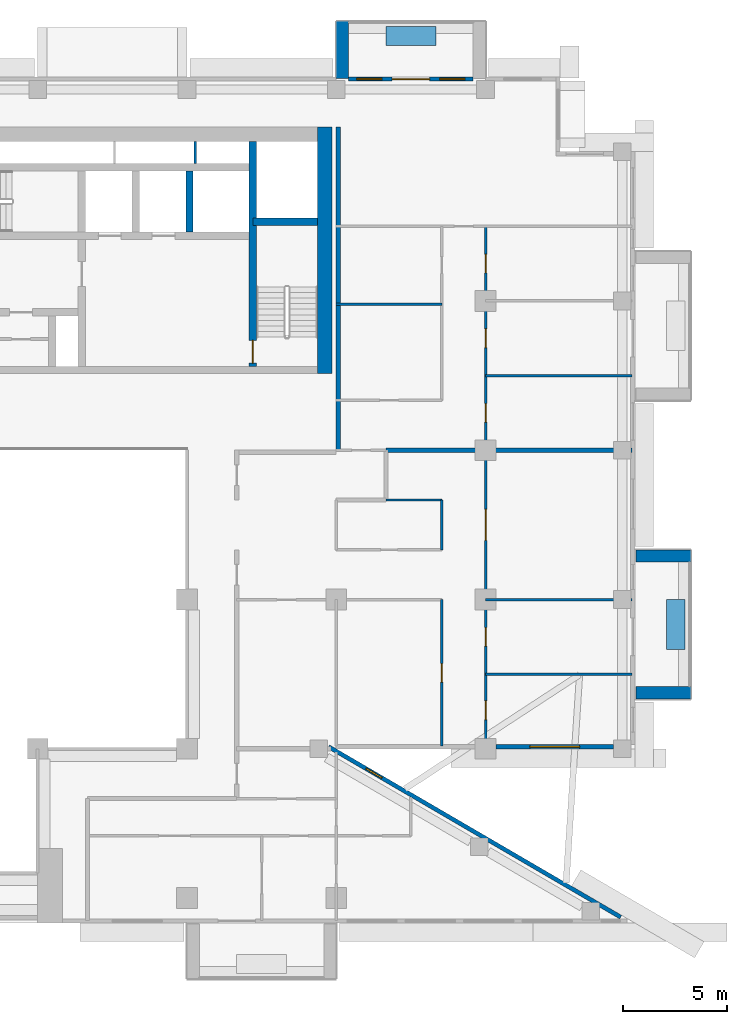
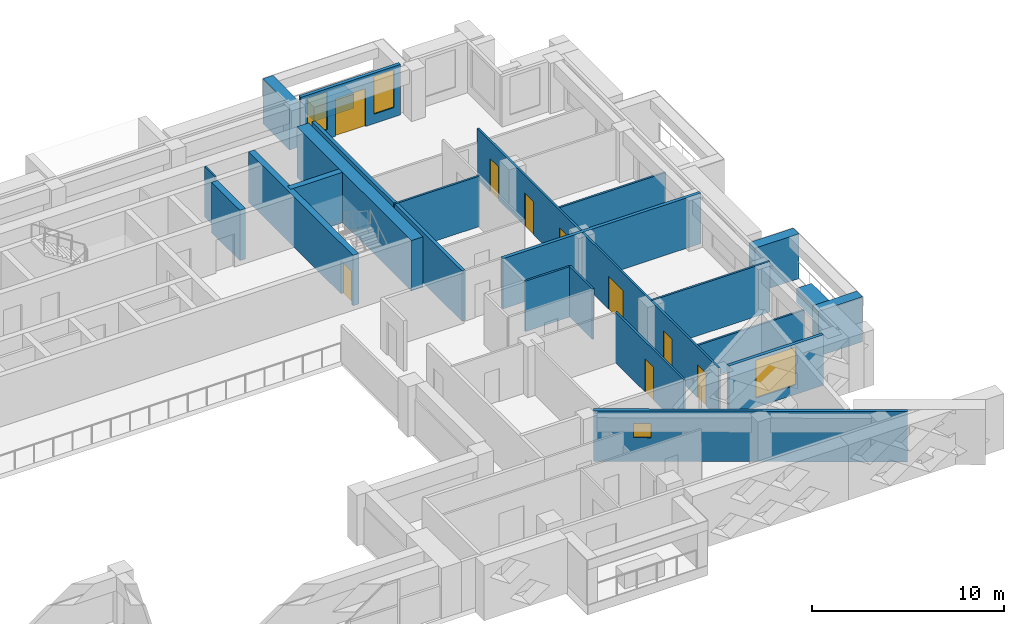
# One storey, part 11 of 19: 23 walls, 9 doors, 4 windows, 13 openings.
"""IFC4 building model written with IfcOpenShell, lengths in metres."""

from ifc_helpers import new_model, si_unit, direction, frame, frame_2d, origin, place, context, subcontext, project, spatial, rectangle, extrude, material, layer, layer_set, type_object, element, fill, save


model = new_model("IFC4")

# Units and contexts
model_context = context("Model", 3, precision=1e-05, world=origin(), true_north=direction((0.0, 1.0)))
body_context = subcontext(model_context, "Body", "Model", "MODEL_VIEW")
ifc_project = project(units=[si_unit("LENGTHUNIT", "METRE"), si_unit("AREAUNIT", "SQUARE_METRE"), si_unit("VOLUMEUNIT", "CUBIC_METRE"), si_unit("PLANEANGLEUNIT", "RADIAN"), si_unit("MASSUNIT", "GRAM", prefix="KILO")], contexts=[model_context])

# Site, building, storey
site_placement = place(None, origin())
site = spatial("IfcSite", under=ifc_project, at=site_placement, CompositionType="ELEMENT")
building_placement = place(site_placement, origin())
building = spatial("IfcBuilding", under=site, at=building_placement, Name="Saffron Iwan Residences", CompositionType="ELEMENT")
storey_placement = place(building_placement, frame((0.0, 0.0, 160.5)))
storey = spatial("IfcBuildingStorey", under=building, at=storey_placement, Name="L42", CompositionType="ELEMENT", Elevation=160.5)

# Walls
ifc_material_1 = material(Name="Concrete C50/60 white painted", Category="concrete")
ifc_layer_1 = layer(ifc_material_1, 0.60009765625)
ifc_layer_set_1 = layer_set([ifc_layer_1], Name="Concrete C50/60 white painted")
wall_type_1 = type_object("IfcWallType", Name="BALCONY FIN 600", PredefinedType="SOLIDWALL", material=ifc_layer_set_1)
for number, where, z_axis, x_axis, name in (
    (1, (86.449951171875, 50.699951171875, 0.0), (0.0, 0.0, 1.0), (1.0, 0.0, 0.0), "Balcony fin L42 F2-0a"),
    (2, (86.449951171875, 57.300048828125, 0.0), (0.0, 0.0, 1.0), (1.0, 0.0, 0.0), "Balcony fin L42 F2-0b"),
):
    element("IfcWall", number, at=place(storey_placement, frame(where, z_axis=z_axis, x_axis=x_axis)), inside=storey, type_object=wall_type_1, Name=name, PredefinedType="SOLIDWALL", context=body_context, shape_type="SweptSolid", body=[
        extrude(rectangle(XDim=2.650146484375, YDim=0.60009765625, at=frame_2d((1.3251953125, 0.0))), origin(), (0.0, 0.0, 1.0), 2.85009765625),
    ])
wall_1_placement = place(storey_placement, frame((72.300048828125, 80.324951171875, 0.0), z_axis=(0.0, 0.0, 1.0), x_axis=(0.0, 1.0, 0.0)))
element("IfcWall", 3, at=wall_1_placement, inside=storey, type_object=wall_type_1, Name="Balcony fin L42 F5-0b", PredefinedType="SOLIDWALL", context=body_context, shape_type="SweptSolid", body=[
    extrude(rectangle(XDim=2.775146484375, YDim=0.60009765625, at=frame_2d((1.3876953125, 0.0))), origin(), (0.0, 0.0, 1.0), 2.85009765625),
])
ifc_material_2 = material(Name="Concrete C35/45 white painted", Category="concrete")
ifc_layer_2 = layer(ifc_material_2, 0.14990234375)
ifc_layer_set_2 = layer_set([ifc_layer_2], Name="Concrete C35/45 white painted")
wall_type_2 = type_object("IfcWallType", Name="BALCONY PLANTER", PredefinedType="SOLIDWALL", material=ifc_layer_set_2)
wall_2_placement = place(storey_placement, frame((88.375, 52.800048828125, 0.0), z_axis=(0.0, 0.0, 1.0), x_axis=(0.0, 1.0, 0.0)))
element("IfcWall", 4, at=wall_2_placement, inside=storey, type_object=wall_type_2, Name="PLANTER L42 F2-0", PredefinedType="SOLIDWALL", context=body_context, shape_type="SweptSolid", body=[
    extrude(rectangle(XDim=2.39990234375, YDim=0.89990234375, at=frame_2d((1.199951171875, 0.0))), origin(), (0.0, 0.0, 1.0), 0.89990234375),
])
wall_3_placement = place(storey_placement, frame((76.800048828125, 82.375, 0.0), z_axis=(0.0, 0.0, 1.0), x_axis=(-1.0, 0.0, 0.0)))
element("IfcWall", 5, at=wall_3_placement, inside=storey, type_object=wall_type_2, Name="PLANTER L42 F5-0", PredefinedType="SOLIDWALL", context=body_context, shape_type="SweptSolid", body=[
    extrude(rectangle(XDim=2.400146484375, YDim=0.89990234375, at=frame_2d((1.2001953125, 0.0))), origin(), (0.0, 0.0, 1.0), 0.89990234375),
])

# Wall, opening, window
ifc_material_3 = material(Name="Concrete C40/50", Category="concrete")
ifc_layer_3 = layer(ifc_material_3, 0.199951171875)
ifc_layer_set_3 = layer_set([ifc_layer_3], Name="Concrete C40/50")
wall_type_3 = type_object("IfcWallType", Name="EXTERNAL WALL 200", PredefinedType="SOLIDWALL", material=ifc_layer_set_3)
wall_4_placement = place(storey_placement, frame((85.71923828125, 39.88134765625, 0.0), z_axis=(0.0, 0.0, 1.0), x_axis=(-0.86377618652, 0.503875678716, 0.0)))
wall_4 = element("IfcWall", 6, at=wall_4_placement, inside=storey, type_object=wall_type_3, Name="External wall L42 F0.0", PredefinedType="SOLIDWALL", context=body_context, shape_type="SweptSolid", body=[
    extrude(rectangle(XDim=16.31103515625, YDim=0.199951171875, at=frame_2d((8.155517578125, 0.0))), origin(), (0.0, 0.0, 1.0), 3.199951171875),
])
opening_1_placement = place(wall_4_placement, frame((13.32568359375, 0.0, 1.5)))
opening_1 = element("IfcOpeningElement", 7, at=opening_1_placement, cuts=wall_4, Name="Opening W6", PredefinedType="OPENING", context=body_context, shape_type="SweptSolid", body=[
    extrude(rectangle(XDim=0.89990234375, YDim=0.89990234375, at=frame_2d((0.449951171875, 0.449951171875))), frame((0.0, 0.10986328125, 0.0), z_axis=(0.0, -1.0, 0.0), x_axis=(1.0, 0.0, 0.0)), (0.0, 0.0, 1.0), 0.219970703125),
])
ifc_material_4 = material(Name="Clear glass, laminated double glazed", Category="glass")
window_type_1 = type_object("IfcWindowType", Name="WINDOW 900 x 900 BATH", PartitioningType="SINGLE_PANEL", PredefinedType="WINDOW", material=ifc_material_4)
window_1_placement = place(opening_1_placement, origin())
window_1 = element("IfcWindow", 8, at=window_1_placement, inside=storey, type_object=window_type_1, Name="Window L42 F0.0", OverallHeight=0.89990234375, OverallWidth=0.89990234375, PartitioningType="SINGLE_PANEL", PredefinedType="WINDOW", context=body_context, shape_type="SweptSolid", body=[
    extrude(rectangle(XDim=0.89990234375, YDim=0.89990234375, at=frame_2d((0.449951171875, 0.449951171875))), frame((0.0, 0.030029296875, 0.0), z_axis=(0.0, -1.0, 0.0), x_axis=(1.0, 0.0, 0.0)), (0.0, 0.0, 1.0), 0.06005859375),
])
fill(opening_1, window_1)

wall_5_placement = place(storey_placement, frame((79.699951171875, 48.10009765625, 0.0), z_axis=(0.0, 0.0, 1.0), x_axis=(1.0, 0.0, 0.0)))
wall_5 = element("IfcWall", 9, at=wall_5_placement, inside=storey, type_object=wall_type_3, Name="External wall L42 F1.1", PredefinedType="SOLIDWALL", context=body_context, shape_type="SweptSolid", body=[
    extrude(rectangle(XDim=5.675048828125, YDim=0.199951171875, at=frame_2d((2.83740234375, 0.0))), origin(), (0.0, 0.0, 1.0), 3.199951171875),
])
opening_2_placement = place(wall_5_placement, frame((1.637451171875, 0.0, 0.60009765625)))
opening_2 = element("IfcOpeningElement", 10, at=opening_2_placement, cuts=wall_5, Name="Opening W1", PredefinedType="OPENING", context=body_context, shape_type="SweptSolid", body=[
    extrude(rectangle(XDim=2.39990234375, YDim=2.39990234375, at=frame_2d((1.199951171875, 1.199951171875))), frame((0.0, 0.10986328125, 0.0), z_axis=(0.0, -1.0, 0.0), x_axis=(1.0, 0.0, 0.0)), (0.0, 0.0, 1.0), 0.219970703125),
])
window_type_2 = type_object("IfcWindowType", Name="WINDOW 2400 x 2400", PartitioningType="DOUBLE_PANEL_VERTICAL", PredefinedType="WINDOW", material=ifc_material_4)
window_2_placement = place(opening_2_placement, origin())
window_2 = element("IfcWindow", 11, at=window_2_placement, inside=storey, type_object=window_type_2, Name="Window L42 F1.0", OverallHeight=2.39990234375, OverallWidth=2.39990234375, PartitioningType="DOUBLE_PANEL_VERTICAL", PredefinedType="WINDOW", context=body_context, shape_type="SweptSolid", body=[
    extrude(rectangle(XDim=2.39990234375, YDim=2.39990234375, at=frame_2d((1.199951171875, 1.199951171875))), frame((0.0, 0.030029296875, 0.0), z_axis=(0.0, -1.0, 0.0), x_axis=(1.0, 0.0, 0.0)), (0.0, 0.0, 1.0), 0.06005859375),
])
fill(opening_2, window_2)

# Wall, openings, door, windows
wall_6_placement = place(storey_placement, frame((78.60009765625, 80.300048828125, 0.0), z_axis=(0.0, 0.0, 1.0), x_axis=(-1.0, 0.0, 0.0)))
wall_6 = element("IfcWall", 12, at=wall_6_placement, inside=storey, type_object=wall_type_3, Name="External wall L42 F5.1", PredefinedType="SOLIDWALL", context=body_context, shape_type="SweptSolid", body=[
    extrude(rectangle(XDim=6.0, YDim=0.199951171875, at=frame_2d((3.0, 0.0))), origin(), (0.0, 0.0, 1.0), 3.199951171875),
])
opening_3_placement = place(wall_6_placement, frame((2.10009765625, 0.0, 0.0)))
opening_3 = element("IfcOpeningElement", 13, at=opening_3_placement, cuts=wall_6, Name="Opening BD1", PredefinedType="OPENING", context=body_context, shape_type="SweptSolid", body=[
    extrude(rectangle(XDim=1.800048828125, YDim=2.39990234375, at=frame_2d((0.89990234375, 1.199951171875))), frame((0.0, 0.10986328125, 0.0), z_axis=(0.0, -1.0, 0.0), x_axis=(1.0, 0.0, 0.0)), (0.0, 0.0, 1.0), 0.219970703125),
])
opening_4_placement = place(wall_6_placement, frame((0.39990234375, 0.0, 0.60009765625)))
opening_4 = element("IfcOpeningElement", 14, at=opening_4_placement, cuts=wall_6, Name="Opening W3", PredefinedType="OPENING", context=body_context, shape_type="SweptSolid", body=[
    extrude(rectangle(XDim=1.199951171875, YDim=2.39990234375, at=frame_2d((0.60009765625, 1.199951171875))), frame((0.0, 0.10986328125, 0.0), z_axis=(0.0, -1.0, 0.0), x_axis=(1.0, 0.0, 0.0)), (0.0, 0.0, 1.0), 0.219970703125),
])
opening_5_placement = place(wall_6_placement, frame((4.39990234375, 0.0, 0.60009765625)))
opening_5 = element("IfcOpeningElement", 15, at=opening_5_placement, cuts=wall_6, Name="Opening W3", PredefinedType="OPENING", context=body_context, shape_type="SweptSolid", body=[
    extrude(rectangle(XDim=1.199951171875, YDim=2.39990234375, at=frame_2d((0.60009765625, 1.199951171875))), frame((0.0, 0.10986328125, 0.0), z_axis=(0.0, -1.0, 0.0), x_axis=(1.0, 0.0, 0.0)), (0.0, 0.0, 1.0), 0.219970703125),
])
door_type_1 = type_object("IfcDoorType", Name="BALCONY DOOR 1800 x 2400", OperationType="DOUBLE_DOOR_SLIDING", PredefinedType="DOOR", material=ifc_material_4)
door_1_placement = place(opening_3_placement, origin())
door_1 = element("IfcDoor", 16, at=door_1_placement, inside=storey, type_object=door_type_1, Name="Balcony door L42 F5.0", OperationType="DOUBLE_DOOR_SLIDING", OverallHeight=2.39990234375, OverallWidth=1.800048828125, PredefinedType="DOOR", context=body_context, shape_type="SweptSolid", body=[
    extrude(rectangle(XDim=1.800048828125, YDim=2.39990234375, at=frame_2d((0.89990234375, 1.199951171875))), frame((0.0, 0.02490234375, 0.0), z_axis=(0.0, -1.0, 0.0), x_axis=(1.0, 0.0, 0.0)), (0.0, 0.0, 1.0), 0.050048828125),
])
fill(opening_3, door_1)
window_type_3 = type_object("IfcWindowType", Name="WINDOW 1200 x 2400", PartitioningType="SINGLE_PANEL", PredefinedType="WINDOW", material=ifc_material_4)
window_3_placement = place(opening_4_placement, origin())
window_3 = element("IfcWindow", 17, at=window_3_placement, inside=storey, type_object=window_type_3, Name="Window L42 F5.1", OverallHeight=2.39990234375, OverallWidth=1.199951171875, PartitioningType="SINGLE_PANEL", PredefinedType="WINDOW", context=body_context, shape_type="SweptSolid", body=[
    extrude(rectangle(XDim=1.199951171875, YDim=2.39990234375, at=frame_2d((0.60009765625, 1.199951171875))), frame((0.0, 0.030029296875, 0.0), z_axis=(0.0, -1.0, 0.0), x_axis=(1.0, 0.0, 0.0)), (0.0, 0.0, 1.0), 0.06005859375),
])
fill(opening_4, window_3)
window_4_placement = place(opening_5_placement, origin())
window_4 = element("IfcWindow", 18, at=window_4_placement, inside=storey, type_object=window_type_3, Name="Window L42 F5.2", OverallHeight=2.39990234375, OverallWidth=1.199951171875, PartitioningType="SINGLE_PANEL", PredefinedType="WINDOW", context=body_context, shape_type="SweptSolid", body=[
    extrude(rectangle(XDim=1.199951171875, YDim=2.39990234375, at=frame_2d((0.60009765625, 1.199951171875))), frame((0.0, 0.030029296875, 0.0), z_axis=(0.0, -1.0, 0.0), x_axis=(1.0, 0.0, 0.0)), (0.0, 0.0, 1.0), 0.06005859375),
])
fill(opening_5, window_4)

# Walls
ifc_material_5 = material(Name="Fire-rated gypsum board wall")
ifc_layer_4 = layer(ifc_material_5, 0.199951171875)
ifc_layer_set_4 = layer_set([ifc_layer_4], Name="Fire-rated gypsum board wall")
wall_type_4 = type_object("IfcWallType", Name="Flat demising wall 200", PredefinedType="SOLIDWALL", material=ifc_layer_set_4)
wall_7_placement = place(storey_placement, frame((74.39990234375, 62.39990234375, 0.0), z_axis=(0.0, 0.0, 1.0), x_axis=(1.0, 0.0, 0.0)))
element("IfcWall", 19, at=wall_7_placement, inside=storey, type_object=wall_type_4, Name="W-L42-DEMISE-h62.4-74.4", PredefinedType="SOLIDWALL", context=body_context, shape_type="SweptSolid", body=[
    extrude(rectangle(XDim=11.875, YDim=0.199951171875, at=frame_2d((5.9375, 0.0))), origin(), (0.0, 0.0, 1.0), 3.199951171875),
])
ifc_material_6 = material(Name="Gypsum board partition")
ifc_layer_5 = layer(ifc_material_6, 0.1201171875)
ifc_layer_set_5 = layer_set([ifc_layer_5], Name="Gypsum board partition")
wall_type_5 = type_object("IfcWallType", Name="Flat partition 120", PredefinedType="PARTITIONING", material=ifc_layer_set_5)
wall_8_placement = place(storey_placement, frame((79.199951171875, 51.60009765625, 0.0), z_axis=(0.0, 0.0, 1.0), x_axis=(1.0, 0.0, 0.0)))
element("IfcWall", 20, at=wall_8_placement, inside=storey, type_object=wall_type_5, Name="W-L42-PART-h51.6-79.2", PredefinedType="PARTITIONING", context=body_context, shape_type="SweptSolid", body=[
    extrude(rectangle(XDim=7.074951171875, YDim=0.1201171875, at=frame_2d((3.53759765625, 0.0))), origin(), (0.0, 0.0, 1.0), 2.300048828125),
])
wall_9_placement = place(storey_placement, frame((79.199951171875, 55.199951171875, 0.0), z_axis=(0.0, 0.0, 1.0), x_axis=(1.0, 0.0, 0.0)))
element("IfcWall", 21, at=wall_9_placement, inside=storey, type_object=wall_type_5, Name="W-L42-PART-h55.2-79.2", PredefinedType="PARTITIONING", context=body_context, shape_type="SweptSolid", body=[
    extrude(rectangle(XDim=7.074951171875, YDim=0.1201171875, at=frame_2d((3.53759765625, 0.0))), origin(), (0.0, 0.0, 1.0), 3.199951171875),
])
wall_10_placement = place(storey_placement, frame((74.39990234375, 60.0, 0.0), z_axis=(0.0, 0.0, 1.0), x_axis=(1.0, 0.0, 0.0)))
element("IfcWall", 22, at=wall_10_placement, inside=storey, type_object=wall_type_5, Name="W-L42-PART-h60-74.4", PredefinedType="PARTITIONING", context=body_context, shape_type="SweptSolid", body=[
    extrude(rectangle(XDim=2.7001953125, YDim=0.1201171875, at=frame_2d((1.35009765625, 0.0))), origin(), (0.0, 0.0, 1.0), 3.199951171875),
])
wall_11_placement = place(storey_placement, frame((79.199951171875, 66.0, 0.0), z_axis=(0.0, 0.0, 1.0), x_axis=(1.0, 0.0, 0.0)))
element("IfcWall", 23, at=wall_11_placement, inside=storey, type_object=wall_type_5, Name="W-L42-PART-h66-79.2", PredefinedType="PARTITIONING", context=body_context, shape_type="SweptSolid", body=[
    extrude(rectangle(XDim=7.074951171875, YDim=0.1201171875, at=frame_2d((3.53759765625, 0.0))), origin(), (0.0, 0.0, 1.0), 2.300048828125),
])
wall_12_placement = place(storey_placement, frame((72.0, 69.449951171875, 0.0), z_axis=(0.0, 0.0, 1.0), x_axis=(1.0, 0.0, 0.0)))
element("IfcWall", 24, at=wall_12_placement, inside=storey, type_object=wall_type_5, Name="W-L42-PART-h69.45-72", PredefinedType="PARTITIONING", context=body_context, shape_type="SweptSolid", body=[
    extrude(rectangle(XDim=5.10009765625, YDim=0.1201171875, at=frame_2d((2.550048828125, 0.0))), origin(), (0.0, 0.0, 1.0), 3.199951171875),
])

# Wall, opening, door
wall_13_placement = place(storey_placement, frame((77.10009765625, 48.125, 0.0), z_axis=(0.0, 0.0, 1.0), x_axis=(0.0, 1.0, 0.0)))
wall_13 = element("IfcWall", 25, at=wall_13_placement, inside=storey, type_object=wall_type_5, Name="W-L42-PART-v77.1-48.125", PredefinedType="PARTITIONING", context=body_context, shape_type="SweptSolid", body=[
    extrude(rectangle(XDim=7.074951171875, YDim=0.1201171875, at=frame_2d((3.53759765625, 0.0))), origin(), (0.0, 0.0, 1.0), 3.199951171875),
])
opening_6_placement = place(wall_13_placement, frame((3.08740234375, 0.0, 0.0)))
opening_6 = element("IfcOpeningElement", 26, at=opening_6_placement, cuts=wall_13, Name="Opening FD2", PredefinedType="OPENING", context=body_context, shape_type="SweptSolid", body=[
    extrude(rectangle(XDim=0.89990234375, YDim=2.10009765625, at=frame_2d((0.449951171875, 1.050048828125))), frame((0.0, 0.070068359375, 0.0), z_axis=(0.0, -1.0, 0.0), x_axis=(1.0, 0.0, 0.0)), (0.0, 0.0, 1.0), 0.14013671875),
])
ifc_material_7 = material(Name="Timber door", Category="wood")
door_type_2 = type_object("IfcDoorType", Name="Flat door 900", OperationType="NOTDEFINED", PredefinedType="DOOR", material=ifc_material_7)
door_2_placement = place(opening_6_placement, origin())
door_2 = element("IfcDoor", 27, at=door_2_placement, inside=storey, type_object=door_type_2, Name="Door L42-018", OperationType="SINGLE_SWING_LEFT", OverallHeight=2.10009765625, OverallWidth=0.89990234375, PredefinedType="DOOR", context=body_context, shape_type="SweptSolid", body=[
    extrude(rectangle(XDim=0.89990234375, YDim=2.10009765625, at=frame_2d((0.449951171875, 1.050048828125))), frame((0.0, 0.02490234375, 0.0), z_axis=(0.0, -1.0, 0.0), x_axis=(1.0, 0.0, 0.0)), (0.0, 0.0, 1.0), 0.050048828125),
])
fill(opening_6, door_2)

# Wall
wall_14_placement = place(storey_placement, frame((77.10009765625, 57.60009765625, 0.0), z_axis=(0.0, 0.0, 1.0), x_axis=(0.0, 1.0, 0.0)))
element("IfcWall", 28, at=wall_14_placement, inside=storey, type_object=wall_type_5, Name="W-L42-PART-v77.1-57.6", PredefinedType="PARTITIONING", context=body_context, shape_type="SweptSolid", body=[
    extrude(rectangle(XDim=2.39990234375, YDim=0.1201171875, at=frame_2d((1.199951171875, 0.0))), origin(), (0.0, 0.0, 1.0), 3.199951171875),
])

# Wall, openings, doors
wall_15_placement = place(storey_placement, frame((79.199951171875, 48.125, 0.0), z_axis=(0.0, 0.0, 1.0), x_axis=(0.0, 1.0, 0.0)))
wall_15 = element("IfcWall", 29, at=wall_15_placement, inside=storey, type_object=wall_type_5, Name="W-L42-PART-v79.2-48.125", PredefinedType="PARTITIONING", context=body_context, shape_type="SweptSolid", body=[
    extrude(rectangle(XDim=25.074951171875, YDim=0.1201171875, at=frame_2d((12.53759765625, 0.0))), origin(), (0.0, 0.0, 1.0), 3.199951171875),
])
opening_7_placement = place(wall_15_placement, frame((1.28759765625, 0.0, 0.0)))
opening_7 = element("IfcOpeningElement", 30, at=opening_7_placement, cuts=wall_15, Name="Opening FD2", PredefinedType="OPENING", context=body_context, shape_type="SweptSolid", body=[
    extrude(rectangle(XDim=0.89990234375, YDim=2.10009765625, at=frame_2d((0.449951171875, 1.050048828125))), frame((0.0, 0.070068359375, 0.0), z_axis=(0.0, -1.0, 0.0), x_axis=(1.0, 0.0, 0.0)), (0.0, 0.0, 1.0), 0.14013671875),
])
opening_8_placement = place(wall_15_placement, frame((4.824951171875, 0.0, 0.0)))
opening_8 = element("IfcOpeningElement", 31, at=opening_8_placement, cuts=wall_15, Name="Opening FD2", PredefinedType="OPENING", context=body_context, shape_type="SweptSolid", body=[
    extrude(rectangle(XDim=0.89990234375, YDim=2.10009765625, at=frame_2d((0.449951171875, 1.050048828125))), frame((0.0, 0.070068359375, 0.0), z_axis=(0.0, -1.0, 0.0), x_axis=(1.0, 0.0, 0.0)), (0.0, 0.0, 1.0), 0.14013671875),
])
opening_9_placement = place(wall_15_placement, frame((9.925048828125, 0.0, 0.0)))
opening_9 = element("IfcOpeningElement", 32, at=opening_9_placement, cuts=wall_15, Name="Opening FD4", PredefinedType="OPENING", context=body_context, shape_type="SweptSolid", body=[
    extrude(rectangle(XDim=1.5, YDim=2.10009765625, at=frame_2d((0.75, 1.050048828125))), frame((0.0, 0.070068359375, 0.0), z_axis=(0.0, -1.0, 0.0), x_axis=(1.0, 0.0, 0.0)), (0.0, 0.0, 1.0), 0.14013671875),
])
opening_10_placement = place(wall_15_placement, frame((15.625, 0.0, 0.0)))
opening_10 = element("IfcOpeningElement", 33, at=opening_10_placement, cuts=wall_15, Name="Opening FD2", PredefinedType="OPENING", context=body_context, shape_type="SweptSolid", body=[
    extrude(rectangle(XDim=0.89990234375, YDim=2.10009765625, at=frame_2d((0.449951171875, 1.050048828125))), frame((0.0, 0.070068359375, 0.0), z_axis=(0.0, -1.0, 0.0), x_axis=(1.0, 0.0, 0.0)), (0.0, 0.0, 1.0), 0.14013671875),
])
opening_11_placement = place(wall_15_placement, frame((19.22509765625, 0.0, 0.0)))
opening_11 = element("IfcOpeningElement", 34, at=opening_11_placement, cuts=wall_15, Name="Opening FD2", PredefinedType="OPENING", context=body_context, shape_type="SweptSolid", body=[
    extrude(rectangle(XDim=0.89990234375, YDim=2.10009765625, at=frame_2d((0.449951171875, 1.050048828125))), frame((0.0, 0.070068359375, 0.0), z_axis=(0.0, -1.0, 0.0), x_axis=(1.0, 0.0, 0.0)), (0.0, 0.0, 1.0), 0.14013671875),
])
opening_12_placement = place(wall_15_placement, frame((22.824951171875, 0.0, 0.0)))
opening_12 = element("IfcOpeningElement", 35, at=opening_12_placement, cuts=wall_15, Name="Opening FD2", PredefinedType="OPENING", context=body_context, shape_type="SweptSolid", body=[
    extrude(rectangle(XDim=0.89990234375, YDim=2.10009765625, at=frame_2d((0.449951171875, 1.050048828125))), frame((0.0, 0.070068359375, 0.0), z_axis=(0.0, -1.0, 0.0), x_axis=(1.0, 0.0, 0.0)), (0.0, 0.0, 1.0), 0.14013671875),
])
door_type_3 = type_object("IfcDoorType", Name="Double door 1500", OperationType="NOTDEFINED", PredefinedType="DOOR", material=ifc_material_7)
door_3_placement = place(opening_9_placement, origin())
door_3 = element("IfcDoor", 36, at=door_3_placement, inside=storey, type_object=door_type_3, Name="Door L42-017", OperationType="SINGLE_SWING_LEFT", OverallHeight=2.10009765625, OverallWidth=1.5, PredefinedType="DOOR", context=body_context, shape_type="SweptSolid", body=[
    extrude(rectangle(XDim=1.5, YDim=2.10009765625, at=frame_2d((0.75, 1.050048828125))), frame((0.0, 0.02490234375, 0.0), z_axis=(0.0, -1.0, 0.0), x_axis=(1.0, 0.0, 0.0)), (0.0, 0.0, 1.0), 0.050048828125),
])
fill(opening_9, door_3)
door_4_placement = place(opening_7_placement, origin())
door_4 = element("IfcDoor", 37, at=door_4_placement, inside=storey, type_object=door_type_2, Name="Door L42-015", OperationType="SINGLE_SWING_LEFT", OverallHeight=2.10009765625, OverallWidth=0.89990234375, PredefinedType="DOOR", context=body_context, shape_type="SweptSolid", body=[
    extrude(rectangle(XDim=0.89990234375, YDim=2.10009765625, at=frame_2d((0.449951171875, 1.050048828125))), frame((0.0, 0.02490234375, 0.0), z_axis=(0.0, -1.0, 0.0), x_axis=(1.0, 0.0, 0.0)), (0.0, 0.0, 1.0), 0.050048828125),
])
fill(opening_7, door_4)
door_5_placement = place(opening_8_placement, origin())
door_5 = element("IfcDoor", 38, at=door_5_placement, inside=storey, type_object=door_type_2, Name="Door L42-016", OperationType="SINGLE_SWING_RIGHT", OverallHeight=2.10009765625, OverallWidth=0.89990234375, PredefinedType="DOOR", context=body_context, shape_type="SweptSolid", body=[
    extrude(rectangle(XDim=0.89990234375, YDim=2.10009765625, at=frame_2d((0.449951171875, 1.050048828125))), frame((0.0, 0.02490234375, 0.0), z_axis=(0.0, -1.0, 0.0), x_axis=(1.0, 0.0, 0.0)), (0.0, 0.0, 1.0), 0.050048828125),
])
fill(opening_8, door_5)
door_6_placement = place(opening_10_placement, origin())
door_6 = element("IfcDoor", 39, at=door_6_placement, inside=storey, type_object=door_type_2, Name="Door L42-033", OperationType="SINGLE_SWING_LEFT", OverallHeight=2.10009765625, OverallWidth=0.89990234375, PredefinedType="DOOR", context=body_context, shape_type="SweptSolid", body=[
    extrude(rectangle(XDim=0.89990234375, YDim=2.10009765625, at=frame_2d((0.449951171875, 1.050048828125))), frame((0.0, 0.02490234375, 0.0), z_axis=(0.0, -1.0, 0.0), x_axis=(1.0, 0.0, 0.0)), (0.0, 0.0, 1.0), 0.050048828125),
])
fill(opening_10, door_6)
door_7_placement = place(opening_11_placement, origin())
door_7 = element("IfcDoor", 40, at=door_7_placement, inside=storey, type_object=door_type_2, Name="Door L42-034", OperationType="SINGLE_SWING_RIGHT", OverallHeight=2.10009765625, OverallWidth=0.89990234375, PredefinedType="DOOR", context=body_context, shape_type="SweptSolid", body=[
    extrude(rectangle(XDim=0.89990234375, YDim=2.10009765625, at=frame_2d((0.449951171875, 1.050048828125))), frame((0.0, 0.02490234375, 0.0), z_axis=(0.0, -1.0, 0.0), x_axis=(1.0, 0.0, 0.0)), (0.0, 0.0, 1.0), 0.050048828125),
])
fill(opening_11, door_7)
door_8_placement = place(opening_12_placement, origin())
door_8 = element("IfcDoor", 41, at=door_8_placement, inside=storey, type_object=door_type_2, Name="Door L42-035", OperationType="SINGLE_SWING_LEFT", OverallHeight=2.10009765625, OverallWidth=0.89990234375, PredefinedType="DOOR", context=body_context, shape_type="SweptSolid", body=[
    extrude(rectangle(XDim=0.89990234375, YDim=2.10009765625, at=frame_2d((0.449951171875, 1.050048828125))), frame((0.0, 0.02490234375, 0.0), z_axis=(0.0, -1.0, 0.0), x_axis=(1.0, 0.0, 0.0)), (0.0, 0.0, 1.0), 0.050048828125),
])
fill(opening_12, door_8)

# Walls
ifc_layer_6 = layer(ifc_material_5, 0.199951171875)
ifc_layer_set_6 = layer_set([ifc_layer_6], Name="Fire-rated gypsum board wall")
wall_type_6 = type_object("IfcWallType", Name="Gallery wall 200", PredefinedType="SOLIDWALL", material=ifc_layer_set_6)
wall_16_placement = place(storey_placement, frame((72.10009765625, 62.39990234375, 0.0), z_axis=(0.0, 0.0, 1.0), x_axis=(0.0, 1.0, 0.0)))
element("IfcWall", 42, at=wall_16_placement, inside=storey, type_object=wall_type_6, Name="W-L42-CORR-v72-62.4", PredefinedType="SOLIDWALL", context=body_context, shape_type="SweptSolid", body=[
    extrude(rectangle(XDim=15.60009765625, YDim=0.199951171875, at=frame_2d((7.800048828125, 0.0))), origin(), (0.0, 0.0, 1.0), 3.199951171875),
])
ifc_material_8 = material(Name="Fire-rated plasterboard partition")
ifc_layer_7 = layer(ifc_material_8, 0.10009765625)
ifc_layer_set_7 = layer_set([ifc_layer_7], Name="Fire-rated plasterboard partition")
wall_type_7 = type_object("IfcWallType", Name="Riser partition 100", PredefinedType="PARTITIONING", material=ifc_layer_set_7)
wall_17_placement = place(storey_placement, frame((65.199951171875, 76.22509765625, 0.0), z_axis=(0.0, 0.0, 1.0), x_axis=(0.0, 1.0, 0.0)))
element("IfcWall", 43, at=wall_17_placement, inside=storey, type_object=wall_type_7, Name="Core partition P12", PredefinedType="PARTITIONING", context=body_context, shape_type="SweptSolid", body=[
    extrude(rectangle(XDim=1.074951171875, YDim=0.10009765625, at=frame_2d((0.53759765625, 0.0))), origin(), (0.0, 0.0, 1.0), 3.199951171875),
])
ifc_material_9 = material(Name="Concrete C50/60", Category="concrete")
ifc_layer_8 = layer(ifc_material_9, 0.35009765625)
ifc_layer_set_8 = layer_set([ifc_layer_8], Name="Concrete C50/60")
wall_type_8 = type_object("IfcWallType", Name="WALL CORE 350 C50/60 3200 HIGH", PredefinedType="SHEAR", material=ifc_layer_set_8)
wall_18_placement = place(storey_placement, frame((67.97509765625, 73.425048828125, 0.0), z_axis=(0.0, 0.0, 1.0), x_axis=(1.0, 0.0, 0.0)))
element("IfcWall", 44, at=wall_18_placement, inside=storey, type_object=wall_type_8, Name="Core wall", PredefinedType="SHEAR", context=body_context, shape_type="SweptSolid", body=[
    extrude(rectangle(XDim=3.125, YDim=0.35009765625, at=frame_2d((1.5625, 0.0))), origin(), (0.0, 0.0, 1.0), 3.199951171875),
])

# Wall, opening, door
wall_19_placement = place(storey_placement, frame((67.97509765625, 66.449951171875, 0.0), z_axis=(0.0, 0.0, 1.0), x_axis=(0.0, 1.0, 0.0)))
wall_19 = element("IfcWall", 45, at=wall_19_placement, inside=storey, type_object=wall_type_8, Name="Core wall", PredefinedType="SHEAR", context=body_context, shape_type="SweptSolid", body=[
    extrude(rectangle(XDim=10.85009765625, YDim=0.35009765625, at=frame_2d((5.425048828125, 0.0))), origin(), (0.0, 0.0, 1.0), 3.199951171875),
])
opening_13_placement = place(wall_19_placement, frame((0.14990234375, 0.0, 0.0)))
opening_13 = element("IfcOpeningElement", 46, at=opening_13_placement, cuts=wall_19, Name="Opening SD", PredefinedType="OPENING", context=body_context, shape_type="SweptSolid", body=[
    extrude(rectangle(XDim=1.10009765625, YDim=2.10009765625, at=frame_2d((0.550048828125, 1.050048828125))), frame((0.0, 0.18505859375, 0.0), z_axis=(0.0, -1.0, 0.0), x_axis=(1.0, 0.0, 0.0)), (0.0, 0.0, 1.0), 0.3701171875),
])
ifc_material_10 = material(Name="Steel fire door", Category="steel")
door_type_4 = type_object("IfcDoorType", Name="Stair door 1100", OperationType="NOTDEFINED", PredefinedType="DOOR", material=ifc_material_10)
door_9_placement = place(opening_13_placement, origin())
door_9 = element("IfcDoor", 47, at=door_9_placement, inside=storey, type_object=door_type_4, Name="Stair door ST-E", OperationType="SINGLE_SWING_LEFT", OverallHeight=2.10009765625, OverallWidth=1.10009765625, PredefinedType="DOOR", context=body_context, shape_type="SweptSolid", body=[
    extrude(rectangle(XDim=1.10009765625, YDim=2.10009765625, at=frame_2d((0.550048828125, 1.050048828125))), frame((0.0, 0.02490234375, 0.0), z_axis=(0.0, -1.0, 0.0), x_axis=(1.0, 0.0, 0.0)), (0.0, 0.0, 1.0), 0.050048828125),
])
fill(opening_13, door_9)

# Walls
wall_20_placement = place(storey_placement, frame((64.925048828125, 72.925048828125, 0.0), z_axis=(0.0, 0.0, 1.0), x_axis=(0.0, 1.0, 0.0)))
element("IfcWall", 48, at=wall_20_placement, inside=storey, type_object=wall_type_8, Name="Core wall", PredefinedType="SHEAR", context=body_context, shape_type="SweptSolid", body=[
    extrude(rectangle(XDim=2.949951171875, YDim=0.35009765625, at=frame_2d((1.47509765625, 0.0))), origin(), (0.0, 0.0, 1.0), 3.199951171875),
])
ifc_layer_9 = layer(ifc_material_9, 0.699951171875)
ifc_layer_set_9 = layer_set([ifc_layer_9], Name="Concrete C50/60")
wall_type_9 = type_object("IfcWallType", Name="WALL CORE 700 C50/60 3200 HIGH", PredefinedType="SHEAR", material=ifc_layer_set_9)
wall_21_placement = place(storey_placement, frame((71.449951171875, 66.10009765625, 0.0), z_axis=(0.0, 0.0, 1.0), x_axis=(0.0, 1.0, 0.0)))
element("IfcWall", 49, at=wall_21_placement, inside=storey, type_object=wall_type_9, Name="Core wall", PredefinedType="SHEAR", context=body_context, shape_type="SweptSolid", body=[
    extrude(rectangle(XDim=11.89990234375, YDim=0.699951171875, at=frame_2d((5.949951171875, 0.0))), origin(), (0.0, 0.0, 1.0), 3.199951171875),
])

save(model, "model.ifc")
